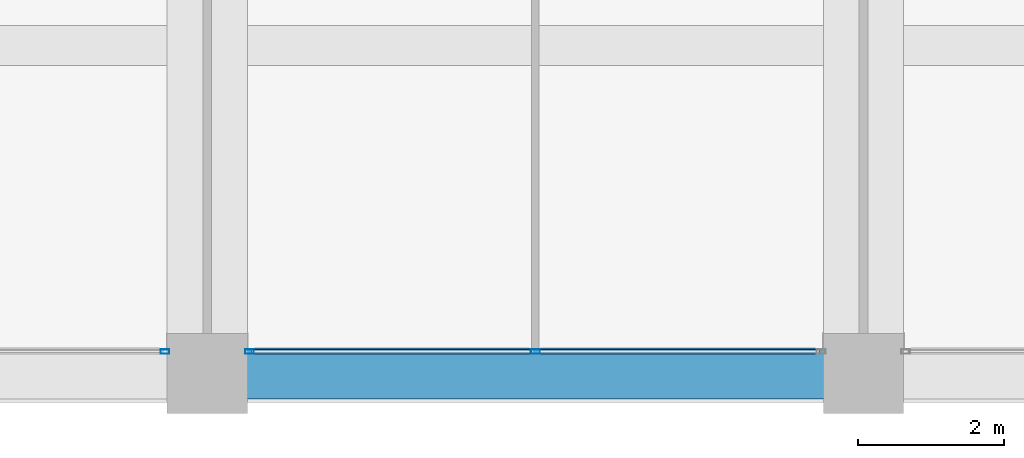
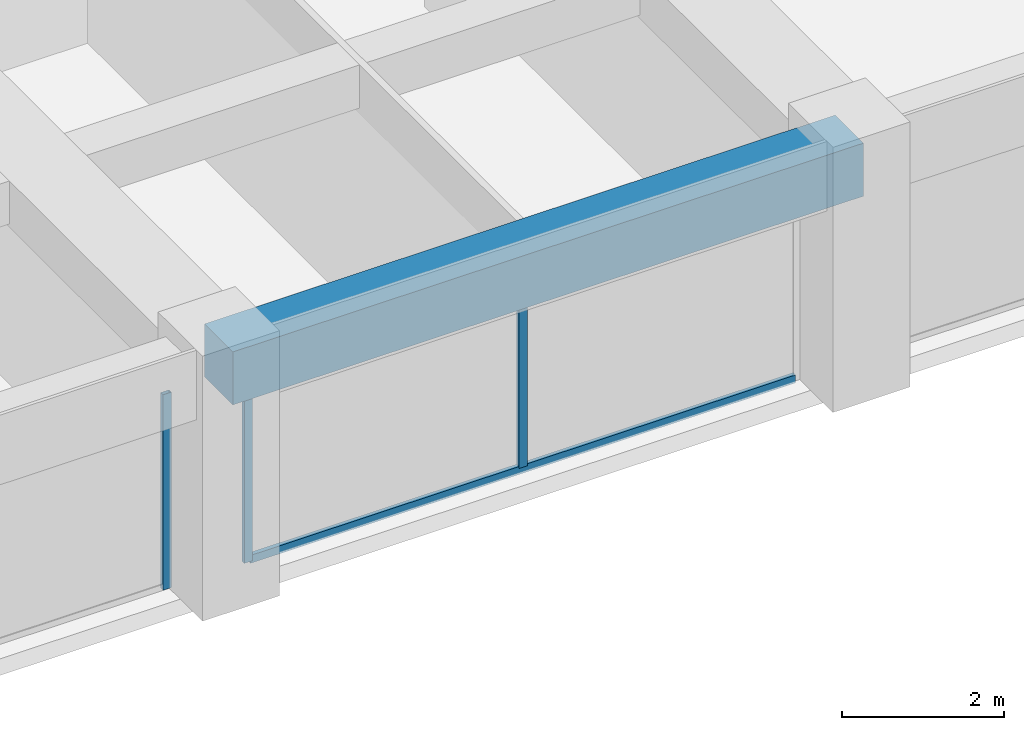
# One storey, part 9 of 44: 4 members, 1 beam, 2 elements without a shape of their own.
"""IFC4 building model written with IfcOpenShell, lengths in metres."""

from ifc_helpers import new_model, si_unit, direction, frame, origin, origin_2d, place, context, subcontext, project, spatial, rectangle, hollow_rectangle, extrude, material, material_profile, profile_set, type_object, element, aggregate, save


model = new_model("IFC4")

# Units and contexts
model_context = context("Model", 3, precision=1e-05, world=origin(), true_north=direction((0.0, 1.0)))
body_context = subcontext(model_context, "Body", "Model", "MODEL_VIEW")
ifc_project = project(units=[si_unit("LENGTHUNIT", "METRE"), si_unit("AREAUNIT", "SQUARE_METRE"), si_unit("VOLUMEUNIT", "CUBIC_METRE"), si_unit("PLANEANGLEUNIT", "RADIAN"), si_unit("MASSUNIT", "GRAM", prefix="KILO")], contexts=[model_context])

# Site, building, storey
site_placement = place(None, origin())
site = spatial("IfcSite", under=ifc_project, at=site_placement, CompositionType="ELEMENT")
building_placement = place(site_placement, origin())
building = spatial("IfcBuilding", under=site, at=building_placement, Name="Zorevar Civic Tower", CompositionType="ELEMENT")
storey_placement = place(building_placement, frame((0.0, 0.0, 267.39990234375)))
storey = spatial("IfcBuildingStorey", under=building, at=storey_placement, Name="L65", CompositionType="ELEMENT", Elevation=267.39990234375)

# Curtain wall, member
ifc_material_1 = material(Name="Dark grey solar-control glass in black aluminium frame", Category="aluminium")
curtain_wall_type = type_object("IfcCurtainWallType", Name="Curtain wall CW5 top zone", PredefinedType="NOTDEFINED", material=ifc_material_1)
curtain_wall_1_placement = place(storey_placement, origin())
curtain_wall_1 = element("IfcCurtainWall", 1, at=curtain_wall_1_placement, inside=storey, type_object=curtain_wall_type, Name="CW5 L65", PredefinedType="NOTDEFINED")
ifc_material_2 = material(Name="Aluminium, black anodised", Category="aluminium")
ifc_material_profile_1 = material_profile(ifc_material_2, hollow_rectangle(XDim=0.06005859375, YDim=0.1201171875, WallThickness=0.0029296875, at=origin_2d()), Name="AL 120x60x3")
ifc_profile_set_1 = profile_set([ifc_material_profile_1], Name="Aluminium, black anodised")
member_type_1 = type_object("IfcMemberType", Name="CW5 mullion AL 120x60x3", PredefinedType="MULLION", material=ifc_profile_set_1)
member_1_placement = place(storey_placement, frame((26.419921875, 0.300048828125, 0.0), z_axis=(0.0, 0.0, 1.0), x_axis=(0.0, 1.0, 0.0)))
member_1 = element("IfcMember", 2, at=member_1_placement, type_object=member_type_1, Name="CW5 mullion 3", PredefinedType="MULLION", context=body_context, shape_type="SweptSolid", body=[
    extrude(hollow_rectangle(XDim=0.06005859375, YDim=0.1201171875, WallThickness=0.0029296875, at=origin_2d()), origin(), (0.0, 0.0, 1.0), 2.9501953125),
])
aggregate(curtain_wall_1, [member_1])

# Curtain wall, members
curtain_wall_2_placement = place(storey_placement, origin())
curtain_wall_2 = element("IfcCurtainWall", 3, at=curtain_wall_2_placement, inside=storey, type_object=curtain_wall_type, Name="CW5 L65", PredefinedType="NOTDEFINED")
member_2_placement = place(storey_placement, frame((27.580078125, 0.300048828125, 0.0), z_axis=(0.0, 0.0, 1.0), x_axis=(0.0, 1.0, 0.0)))
member_2 = element("IfcMember", 4, at=member_2_placement, type_object=member_type_1, Name="CW5 mullion 1", PredefinedType="MULLION", context=body_context, shape_type="SweptSolid", body=[
    extrude(hollow_rectangle(XDim=0.06005859375, YDim=0.1201171875, WallThickness=0.0029296875, at=origin_2d()), origin(), (0.0, 0.0, 1.0), 2.9501953125),
])
member_3_placement = place(storey_placement, frame((31.5, 0.300048828125, 0.06005859375), z_axis=(0.0, 0.0, 1.0), x_axis=(0.0, 1.0, 0.0)))
member_3 = element("IfcMember", 5, at=member_3_placement, type_object=member_type_1, Name="CW5 mullion 2", PredefinedType="MULLION", context=body_context, shape_type="SweptSolid", body=[
    extrude(hollow_rectangle(XDim=0.06005859375, YDim=0.1201171875, WallThickness=0.0029296875, at=origin_2d()), origin(), (0.0, 0.0, 1.0), 2.89013671875),
])
ifc_material_3 = material(Name="Aluminium, black anodised", Category="aluminium")
ifc_material_profile_2 = material_profile(ifc_material_3, hollow_rectangle(XDim=0.06005859375, YDim=0.1201171875, WallThickness=0.0029296875, at=origin_2d()), Name="AL 120x60x3")
ifc_profile_set_2 = profile_set([ifc_material_profile_2], Name="Aluminium, black anodised")
member_type_2 = type_object("IfcMemberType", Name="CW5 transom AL 120x60x3", PredefinedType="USERDEFINED", material=ifc_profile_set_2)
member_4_placement = place(storey_placement, frame((27.610107421875, 0.300048828125, 0.030029296875), z_axis=(1.0, 0.0, 0.0), x_axis=(0.0, 1.0, 0.0)))
member_4 = element("IfcMember", 6, at=member_4_placement, type_object=member_type_2, Name="CW5 sill transom", ObjectType="TRANSOM", PredefinedType="USERDEFINED", context=body_context, shape_type="SweptSolid", body=[
    extrude(hollow_rectangle(XDim=0.06005859375, YDim=0.1201171875, WallThickness=0.0029296875, at=origin_2d()), origin(), (0.0, 0.0, 1.0), 7.77978515625),
])
aggregate(curtain_wall_2, [member_2, member_3, member_4])

# Beam
ifc_material_4 = material(Name="Concrete C50/60", Category="concrete")
ifc_material_profile_3 = material_profile(ifc_material_4, rectangle(XDim=0.699951171875, YDim=0.800048828125, at=origin_2d()), Name="RC 700x800")
ifc_profile_set_3 = profile_set([ifc_material_profile_3], Name="Concrete C50/60")
beam_type = type_object("IfcBeamType", Name="Edge beam RC 700x800", PredefinedType="SPANDREL", material=ifc_profile_set_3)
beam_placement = place(storey_placement, frame((27.0, 0.0, 3.35009765625), z_axis=(1.0, 0.0, 0.0), x_axis=(0.0, 1.0, 0.0)))
element("IfcBeam", 7, at=beam_placement, inside=storey, type_object=beam_type, Name="Edge beam L66", PredefinedType="SPANDREL", context=body_context, shape_type="SweptSolid", body=[
    extrude(rectangle(XDim=0.699951171875, YDim=0.800048828125, at=origin_2d()), origin(), (0.0, 0.0, 1.0), 9.0),
])

save(model, "model.ifc")
